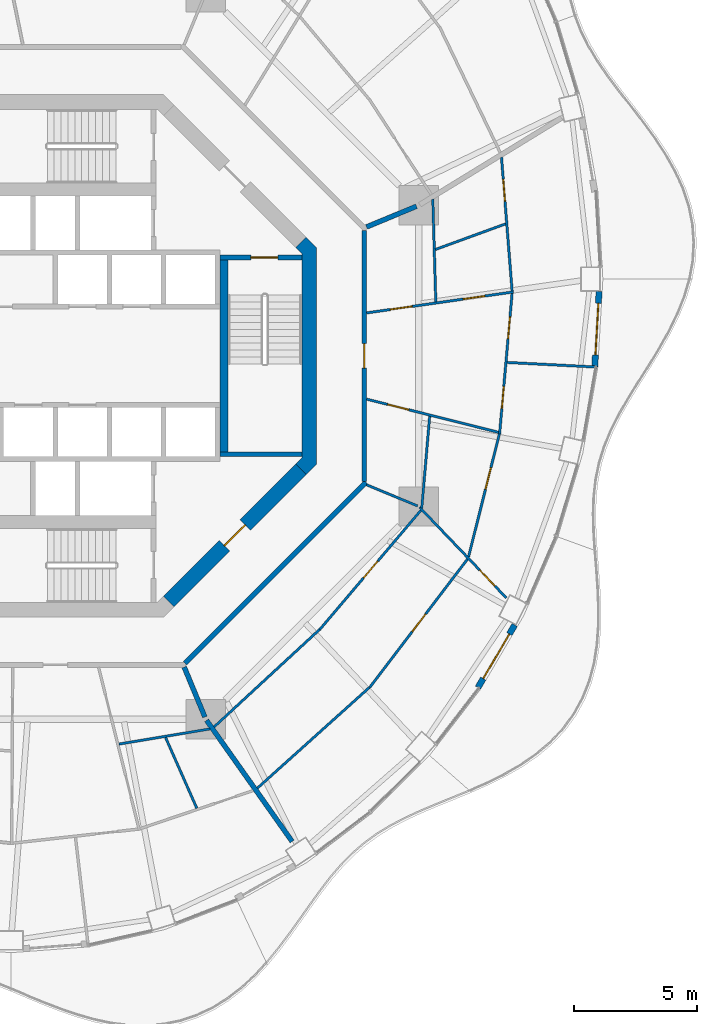
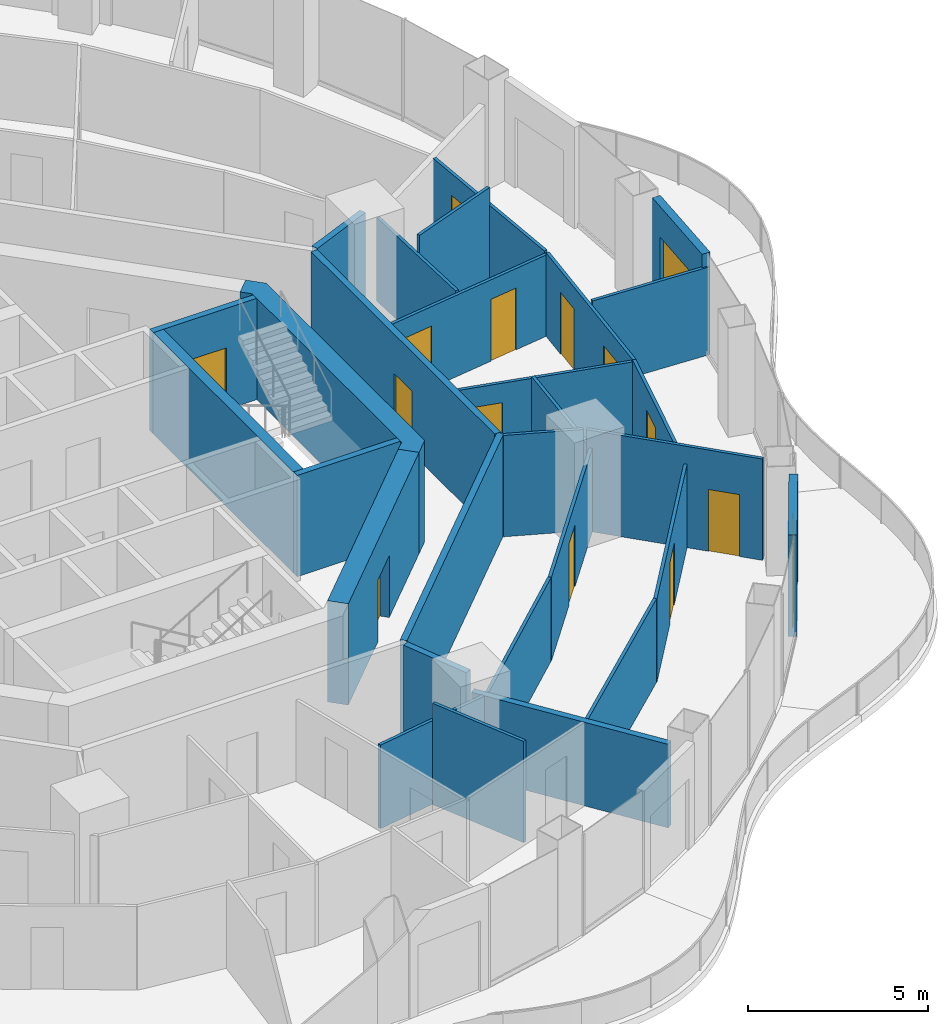
# One storey, part 12 of 18: 29 walls, 15 doors, 15 openings.
"""IFC4 building model written with IfcOpenShell, lengths in metres."""

from ifc_helpers import new_model, si_unit, direction, frame, frame_2d, origin, place, context, subcontext, project, spatial, polyline, rectangle, outline, extrude, material, layer, layer_set, type_object, element, fill, save


model = new_model("IFC4")

# Units and contexts
model_context = context("Model", 3, precision=1e-05, world=origin(), true_north=direction((0.0, 1.0)))
body_context = subcontext(model_context, "Body", "Model", "MODEL_VIEW")
ifc_project = project(units=[si_unit("LENGTHUNIT", "METRE"), si_unit("AREAUNIT", "SQUARE_METRE"), si_unit("VOLUMEUNIT", "CUBIC_METRE"), si_unit("PLANEANGLEUNIT", "RADIAN"), si_unit("MASSUNIT", "GRAM", prefix="KILO")], contexts=[model_context])

# Site, building, storey
site_placement = place(None, origin())
site = spatial("IfcSite", under=ifc_project, at=site_placement, CompositionType="ELEMENT")
building_placement = place(site_placement, origin())
building = spatial("IfcBuilding", under=site, at=building_placement, Name="Nagisa Residences", CompositionType="ELEMENT")
storey_placement = place(building_placement, frame((0.0, 0.0, 215.89990234375)))
storey = spatial("IfcBuildingStorey", under=building, at=storey_placement, Name="L54", CompositionType="ELEMENT", Elevation=215.89990234375)

# Walls
ifc_material_1 = material(Name="Gypsum board on steel studs", Category="steel")
ifc_layer_1 = layer(ifc_material_1, 0.199951171875)
ifc_layer_set_1 = layer_set([ifc_layer_1], Name="Apartment compartment wall EI60 200")
wall_type_1 = type_object("IfcWallType", Name="Apartment compartment wall EI60 200", PredefinedType="PARTITIONING", material=ifc_layer_set_1)
wall_1_placement = place(storey_placement, frame((12.6572265625, 5.24267578125, 0.0), z_axis=(0.0, 0.0, 1.0), x_axis=(0.92383017907, 0.382802560388, 0.0)))
element("IfcWall", 1, at=wall_1_placement, inside=storey, type_object=wall_type_1, Name="wall:L54:u00", PredefinedType="PARTITIONING", context=body_context, shape_type="SweptSolid", body=[
    extrude(rectangle(XDim=2.2001953125, YDim=0.199951171875, at=frame_2d((1.10009765625, 0.0))), origin(), (0.0, 0.0, 1.0), 3.440185546875),
])
wall_2_placement = place(storey_placement, frame((5.24267578125, -12.6572265625, 0.0), z_axis=(0.0, 0.0, 1.0), x_axis=(0.382691608661, -0.923876145736, 0.0)))
element("IfcWall", 2, at=wall_2_placement, inside=storey, type_object=wall_type_1, Name="wall:L54:u06", PredefinedType="PARTITIONING", context=body_context, shape_type="SweptSolid", body=[
    extrude(rectangle(XDim=2.19970703125, YDim=0.199951171875, at=frame_2d((1.099853515625, 0.0))), origin(), (0.0, 0.0, 1.0), 3.440185546875),
])
wall_3_placement = place(storey_placement, frame((6.15185546875, -14.822998046875, 0.0), z_axis=(0.0, 0.0, 1.0), x_axis=(0.576994695158, -0.816747893637, 0.0)))
element("IfcWall", 3, at=wall_3_placement, inside=storey, type_object=wall_type_1, Name="wall:L54:u07", PredefinedType="PARTITIONING", context=body_context, shape_type="SweptSolid", body=[
    extrude(rectangle(XDim=6.0302734375, YDim=0.199951171875, at=frame_2d((3.01513671875, 0.0))), origin(), (0.0, 0.0, 1.0), 2.837158203125),
])

# Wall, opening, door
ifc_material_2 = material(Name="Gypsum board on steel studs", Category="steel")
ifc_layer_2 = layer(ifc_material_2, 0.199951171875)
ifc_layer_set_2 = layer_set([ifc_layer_2], Name="Apartment entry wall EI60 200")
wall_type_2 = type_object("IfcWallType", Name="Apartment entry wall EI60 200", PredefinedType="PARTITIONING", material=ifc_layer_set_2)
wall_4_placement = place(storey_placement, frame((12.564697265625, -5.1044921875, 0.0), z_axis=(0.0, 0.0, 1.0), x_axis=(0.0, 1.0, 0.0)))
wall_4 = element("IfcWall", 4, at=wall_4_placement, inside=storey, type_object=wall_type_2, Name="wall:L54:u08", PredefinedType="PARTITIONING", context=body_context, shape_type="SweptSolid", body=[
    extrude(rectangle(XDim=10.208984375, YDim=0.199951171875, at=frame_2d((5.1044921875, 0.0))), origin(), (0.0, 0.0, 1.0), 3.440185546875),
])
opening_1_placement = place(wall_4_placement, frame((4.6044921875, 0.0, 0.0)))
opening_1 = element("IfcOpeningElement", 5, at=opening_1_placement, cuts=wall_4, Name="Opening L54-U41", PredefinedType="OPENING", context=body_context, shape_type="SweptSolid", body=[
    extrude(rectangle(XDim=1.0, YDim=2.10009765625, at=frame_2d((0.5, 1.050048828125))), frame((0.0, 0.10986328125, 0.0), z_axis=(0.0, -1.0, 0.0), x_axis=(1.0, 0.0, 0.0)), (0.0, 0.0, 1.0), 0.219970703125),
])
ifc_material_3 = material(Name="Timber fire door set", Category="wood")
door_type_1 = type_object("IfcDoorType", Name="Apartment entry door FD30S 1000x2100", OperationType="NOTDEFINED", PredefinedType="DOOR", material=ifc_material_3)
door_1_placement = place(opening_1_placement, frame((1.0, 0.0, 0.0), x_axis=(-1.0, 0.0, 0.0)))
door_1 = element("IfcDoor", 6, at=door_1_placement, inside=storey, type_object=door_type_1, Name="Entry door, Apartment 54D", OperationType="SINGLE_SWING_RIGHT", OverallHeight=2.10009765625, OverallWidth=1.0, PredefinedType="DOOR", context=body_context, shape_type="SweptSolid", body=[
    extrude(rectangle(XDim=1.0, YDim=2.10009765625, at=frame_2d((0.5, 1.050048828125))), frame((0.0, 0.02490234375, 0.0), z_axis=(0.0, -1.0, 0.0), x_axis=(1.0, 0.0, 0.0)), (0.0, 0.0, 1.0), 0.050048828125),
])
fill(opening_1, door_1)

# Wall
wall_5_placement = place(storey_placement, frame((5.275146484375, -12.494140625, 0.0), z_axis=(0.0, 0.0, 1.0), x_axis=(0.707106781187, 0.707106781187, 0.0)))
element("IfcWall", 7, at=wall_5_placement, inside=storey, type_object=wall_type_2, Name="wall:L54:u15", PredefinedType="PARTITIONING", context=body_context, shape_type="SweptSolid", body=[
    extrude(rectangle(XDim=10.4091796875, YDim=0.199951171875, at=frame_2d((5.20458984375, 0.0))), origin(), (0.0, 0.0, 1.0), 3.440185546875),
])

# Wall, openings, doors
ifc_material_4 = material(Name="Gypsum board on steel studs", Category="steel")
ifc_layer_3 = layer(ifc_material_4, 0.10009765625)
ifc_layer_set_3 = layer_set([ifc_layer_3], Name="Apartment partition 100")
wall_type_3 = type_object("IfcWallType", Name="Apartment partition 100", PredefinedType="PARTITIONING", material=ifc_layer_set_3)
wall_6_placement = place(storey_placement, frame((12.663818359375, 1.7490234375, 0.0), z_axis=(0.0, 0.0, 1.0), x_axis=(0.990000460163, 0.141064130369, 0.0)))
wall_6 = element("IfcWall", 8, at=wall_6_placement, inside=storey, type_object=wall_type_3, Name="wall:L54:u16", PredefinedType="PARTITIONING", context=body_context, shape_type="SweptSolid", body=[
    extrude(rectangle(XDim=6.028076171875, YDim=0.10009765625, at=frame_2d((3.01416015625, 0.0))), origin(), (0.0, 0.0, 1.0), 2.76220703125),
])
opening_2_placement = place(wall_6_placement, frame((0.970458984375, 0.0, 0.0)))
opening_2 = element("IfcOpeningElement", 9, at=opening_2_placement, cuts=wall_6, Name="Opening L54-U43", PredefinedType="OPENING", context=body_context, shape_type="SweptSolid", body=[
    extrude(rectangle(XDim=0.89990234375, YDim=2.10009765625, at=frame_2d((0.449951171875, 1.050048828125))), frame((0.0, 0.06005859375, 0.0), z_axis=(0.0, -1.0, 0.0), x_axis=(1.0, 0.0, 0.0)), (0.0, 0.0, 1.0), 0.1201171875),
])
opening_3_placement = place(wall_6_placement, frame((3.95947265625, 0.0, 0.0)))
opening_3 = element("IfcOpeningElement", 10, at=opening_3_placement, cuts=wall_6, Name="Opening L54-U44", PredefinedType="OPENING", context=body_context, shape_type="SweptSolid", body=[
    extrude(rectangle(XDim=0.89990234375, YDim=2.10009765625, at=frame_2d((0.449951171875, 1.050048828125))), frame((0.0, 0.06005859375, 0.0), z_axis=(0.0, -1.0, 0.0), x_axis=(1.0, 0.0, 0.0)), (0.0, 0.0, 1.0), 0.1201171875),
])
ifc_material_5 = material(Name="Timber door set", Category="wood")
door_type_2 = type_object("IfcDoorType", Name="Apartment door 900x2100", OperationType="NOTDEFINED", PredefinedType="DOOR", material=ifc_material_5)
door_2_placement = place(opening_2_placement, origin())
door_2 = element("IfcDoor", 11, at=door_2_placement, inside=storey, type_object=door_type_2, Name="Door to store, Apartment 54D", OperationType="SINGLE_SWING_LEFT", OverallHeight=2.10009765625, OverallWidth=0.89990234375, PredefinedType="DOOR", context=body_context, shape_type="SweptSolid", body=[
    extrude(rectangle(XDim=0.89990234375, YDim=2.10009765625, at=frame_2d((0.449951171875, 1.050048828125))), frame((0.0, 0.02490234375, 0.0), z_axis=(0.0, -1.0, 0.0), x_axis=(1.0, 0.0, 0.0)), (0.0, 0.0, 1.0), 0.050048828125),
])
fill(opening_2, door_2)
door_3_placement = place(opening_3_placement, origin())
door_3 = element("IfcDoor", 12, at=door_3_placement, inside=storey, type_object=door_type_2, Name="Door to family bathroom, Apartment 54D", OperationType="SINGLE_SWING_RIGHT", OverallHeight=2.10009765625, OverallWidth=0.89990234375, PredefinedType="DOOR", context=body_context, shape_type="SweptSolid", body=[
    extrude(rectangle(XDim=0.89990234375, YDim=2.10009765625, at=frame_2d((0.449951171875, 1.050048828125))), frame((0.0, 0.02490234375, 0.0), z_axis=(0.0, -1.0, 0.0), x_axis=(1.0, 0.0, 0.0)), (0.0, 0.0, 1.0), 0.050048828125),
])
fill(opening_3, door_3)

# Wall
wall_7_placement = place(storey_placement, frame((15.474853515625, 2.19970703125, 0.0), z_axis=(0.0, 0.0, 1.0), x_axis=(-0.029254623973, 0.999571991893, 0.0)))
element("IfcWall", 13, at=wall_7_placement, inside=storey, type_object=wall_type_3, Name="wall:L54:u17", PredefinedType="PARTITIONING", context=body_context, shape_type="SweptSolid", body=[
    extrude(rectangle(XDim=4.172607421875, YDim=0.10009765625, at=frame_2d((2.08642578125, 0.0))), origin(), (0.0, 0.0, 1.0), 2.837158203125),
])

# Wall, opening, door
wall_8_placement = place(storey_placement, frame((18.578125, 2.64208984375, 0.0), z_axis=(0.0, 0.0, 1.0), x_axis=(-0.079188322924, 0.996859673932, 0.0)))
wall_8 = element("IfcWall", 14, at=wall_8_placement, inside=storey, type_object=wall_type_3, Name="wall:L54:u18", PredefinedType="PARTITIONING", context=body_context, shape_type="SweptSolid", body=[
    extrude(rectangle(XDim=5.453857421875, YDim=0.10009765625, at=frame_2d((2.72705078125, 0.0))), origin(), (0.0, 0.0, 1.0), 2.837158203125),
])
opening_4_placement = place(wall_8_placement, frame((3.653076171875, 0.0, 0.0)))
opening_4 = element("IfcOpeningElement", 15, at=opening_4_placement, cuts=wall_8, Name="Opening L54-U48", PredefinedType="OPENING", context=body_context, shape_type="SweptSolid", body=[
    extrude(rectangle(XDim=0.89990234375, YDim=2.10009765625, at=frame_2d((0.449951171875, 1.050048828125))), frame((0.0, 0.06005859375, 0.0), z_axis=(0.0, -1.0, 0.0), x_axis=(1.0, 0.0, 0.0)), (0.0, 0.0, 1.0), 0.1201171875),
])
door_4_placement = place(opening_4_placement, origin())
door_4 = element("IfcDoor", 16, at=door_4_placement, inside=storey, type_object=door_type_2, Name="Door to en-suite bathroom, Apartment 54D", OperationType="SINGLE_SWING_RIGHT", OverallHeight=2.10009765625, OverallWidth=0.89990234375, PredefinedType="DOOR", context=body_context, shape_type="SweptSolid", body=[
    extrude(rectangle(XDim=0.89990234375, YDim=2.10009765625, at=frame_2d((0.449951171875, 1.050048828125))), frame((0.0, 0.02490234375, 0.0), z_axis=(0.0, -1.0, 0.0), x_axis=(1.0, 0.0, 0.0)), (0.0, 0.0, 1.0), 0.050048828125),
])
fill(opening_4, door_4)

# Wall, openings, doors
wall_9_placement = place(storey_placement, frame((18.57763671875, 2.54248046875, 0.0), z_axis=(0.0, 0.0, 1.0), x_axis=(-0.088651453697, -0.996062708748, 0.0)))
wall_9 = element("IfcWall", 17, at=wall_9_placement, inside=storey, type_object=wall_type_3, Name="wall:L54:u19", PredefinedType="PARTITIONING", context=body_context, shape_type="SweptSolid", body=[
    extrude(rectangle(XDim=5.736572265625, YDim=0.10009765625, at=frame_2d((2.8681640625, 0.0))), origin(), (0.0, 0.0, 1.0), 2.837158203125),
])
opening_5_placement = place(wall_9_placement, frame((3.80224609375, 0.0, 0.0)))
opening_5 = element("IfcOpeningElement", 18, at=opening_5_placement, cuts=wall_9, Name="Opening L54-U45", PredefinedType="OPENING", context=body_context, shape_type="SweptSolid", body=[
    extrude(rectangle(XDim=0.89990234375, YDim=2.10009765625, at=frame_2d((0.449951171875, 1.050048828125))), frame((0.0, 0.06005859375, 0.0), z_axis=(0.0, -1.0, 0.0), x_axis=(1.0, 0.0, 0.0)), (0.0, 0.0, 1.0), 0.1201171875),
])
opening_6_placement = place(wall_9_placement, frame((0.958984375, 0.0, 0.0)))
opening_6 = element("IfcOpeningElement", 19, at=opening_6_placement, cuts=wall_9, Name="Opening L54-U46", PredefinedType="OPENING", context=body_context, shape_type="SweptSolid", body=[
    extrude(rectangle(XDim=0.89990234375, YDim=2.10009765625, at=frame_2d((0.449951171875, 1.050048828125))), frame((0.0, 0.06005859375, 0.0), z_axis=(0.0, -1.0, 0.0), x_axis=(1.0, 0.0, 0.0)), (0.0, 0.0, 1.0), 0.1201171875),
])
door_5_placement = place(opening_5_placement, origin())
door_5 = element("IfcDoor", 20, at=door_5_placement, inside=storey, type_object=door_type_2, Name="Door to bedroom, Apartment 54D", OperationType="SINGLE_SWING_LEFT", OverallHeight=2.10009765625, OverallWidth=0.89990234375, PredefinedType="DOOR", context=body_context, shape_type="SweptSolid", body=[
    extrude(rectangle(XDim=0.89990234375, YDim=2.10009765625, at=frame_2d((0.449951171875, 1.050048828125))), frame((0.0, 0.02490234375, 0.0), z_axis=(0.0, -1.0, 0.0), x_axis=(1.0, 0.0, 0.0)), (0.0, 0.0, 1.0), 0.050048828125),
])
fill(opening_5, door_5)
door_6_placement = place(opening_6_placement, origin())
door_6 = element("IfcDoor", 21, at=door_6_placement, inside=storey, type_object=door_type_2, Name="Door to master bedroom, Apartment 54D", OperationType="SINGLE_SWING_RIGHT", OverallHeight=2.10009765625, OverallWidth=0.89990234375, PredefinedType="DOOR", context=body_context, shape_type="SweptSolid", body=[
    extrude(rectangle(XDim=0.89990234375, YDim=2.10009765625, at=frame_2d((0.449951171875, 1.050048828125))), frame((0.0, 0.02490234375, 0.0), z_axis=(0.0, -1.0, 0.0), x_axis=(1.0, 0.0, 0.0)), (0.0, 0.0, 1.0), 0.050048828125),
])
fill(opening_6, door_6)

# Walls
wall_10_placement = place(storey_placement, frame((15.4599609375, 4.327392578125, 0.0), z_axis=(0.0, 0.0, 1.0), x_axis=(0.939452643938, 0.342678755977, 0.0)))
element("IfcWall", 22, at=wall_10_placement, inside=storey, type_object=wall_type_3, Name="wall:L54:u20", PredefinedType="PARTITIONING", context=body_context, shape_type="SweptSolid", body=[
    extrude(rectangle(XDim=3.037109375, YDim=0.10009765625, at=frame_2d((1.5185546875, 0.0))), origin(), (0.0, 0.0, 1.0), 3.440185546875),
])
wall_11_placement = place(storey_placement, frame((2.592529296875, -15.788818359375, 0.0), z_axis=(0.0, 0.0, 1.0), x_axis=(0.986385117656, 0.164451815639, 0.0)))
element("IfcWall", 23, at=wall_11_placement, inside=storey, type_object=wall_type_3, Name="wall:L54:u79", PredefinedType="PARTITIONING", context=body_context, shape_type="SweptSolid", body=[
    extrude(rectangle(XDim=3.7470703125, YDim=0.10009765625, at=frame_2d((1.87353515625, 0.0))), origin(), (0.0, 0.0, 1.0), 2.837158203125),
])
wall_12_placement = place(storey_placement, frame((4.4853515625, -15.522216796875, 0.0), z_axis=(0.0, 0.0, 1.0), x_axis=(0.40391918208, -0.914794673327, 0.0)))
element("IfcWall", 24, at=wall_12_placement, inside=storey, type_object=wall_type_3, Name="wall:L54:u81", PredefinedType="PARTITIONING", context=body_context, shape_type="SweptSolid", body=[
    extrude(rectangle(XDim=3.1455078125, YDim=0.10009765625, at=frame_2d((1.57275390625, 0.0))), origin(), (0.0, 0.0, 1.0), 3.440185546875),
])
wall_13_placement = place(storey_placement, frame((6.460693359375, -15.08837890625, 0.0), z_axis=(0.0, 0.0, 1.0), x_axis=(0.73461579427, 0.678483334217, 0.0)))
element("IfcWall", 25, at=wall_13_placement, inside=storey, type_object=wall_type_3, Name="wall:L54:u82", PredefinedType="PARTITIONING", context=body_context, shape_type="SweptSolid", body=[
    extrude(rectangle(XDim=5.8369140625, YDim=0.10009765625, at=frame_2d((2.91845703125, 0.0))), origin(), (0.0, 0.0, 1.0), 2.837158203125),
])
wall_14_placement = place(storey_placement, frame((8.220458984375, -17.5791015625, 0.0), z_axis=(0.0, 0.0, 1.0), x_axis=(0.743696370895, 0.668517544958, 0.0)))
element("IfcWall", 26, at=wall_14_placement, inside=storey, type_object=wall_type_3, Name="wall:L54:u83", PredefinedType="PARTITIONING", context=body_context, shape_type="SweptSolid", body=[
    extrude(rectangle(XDim=6.124755859375, YDim=0.10009765625, at=frame_2d((3.0625, 0.0))), origin(), (0.0, 0.0, 1.0), 2.837158203125),
])

# Wall, opening, door
wall_15_placement = place(storey_placement, frame((10.7529296875, -11.13232421875, 0.0), z_axis=(0.0, 0.0, 1.0), x_axis=(0.647001799757, 0.762488472773, 0.0)))
wall_15 = element("IfcWall", 27, at=wall_15_placement, inside=storey, type_object=wall_type_3, Name="wall:L54:u84", PredefinedType="PARTITIONING", context=body_context, shape_type="SweptSolid", body=[
    extrude(rectangle(XDim=6.35888671875, YDim=0.10009765625, at=frame_2d((3.179443359375, 0.0))), origin(), (0.0, 0.0, 1.0), 2.837158203125),
])
opening_7_placement = place(wall_15_placement, frame((2.75439453125, 0.0, 0.0)))
opening_7 = element("IfcOpeningElement", 28, at=opening_7_placement, cuts=wall_15, Name="Opening L54-U51", PredefinedType="OPENING", context=body_context, shape_type="SweptSolid", body=[
    extrude(rectangle(XDim=0.89990234375, YDim=2.10009765625, at=frame_2d((0.449951171875, 1.050048828125))), frame((0.0, 0.06005859375, 0.0), z_axis=(0.0, -1.0, 0.0), x_axis=(1.0, 0.0, 0.0)), (0.0, 0.0, 1.0), 0.1201171875),
])
door_7_placement = place(opening_7_placement, origin())
door_7 = element("IfcDoor", 29, at=door_7_placement, inside=storey, type_object=door_type_2, Name="Door to store, Apartment 54D", OperationType="SINGLE_SWING_LEFT", OverallHeight=2.10009765625, OverallWidth=0.89990234375, PredefinedType="DOOR", context=body_context, shape_type="SweptSolid", body=[
    extrude(rectangle(XDim=0.89990234375, YDim=2.10009765625, at=frame_2d((0.449951171875, 1.050048828125))), frame((0.0, 0.02490234375, 0.0), z_axis=(0.0, -1.0, 0.0), x_axis=(1.0, 0.0, 0.0)), (0.0, 0.0, 1.0), 0.050048828125),
])
fill(opening_7, door_7)

wall_16_placement = place(storey_placement, frame((12.7822265625, -13.490966796875, 0.0), z_axis=(0.0, 0.0, 1.0), x_axis=(0.606136140755, 0.795360911078, 0.0)))
wall_16 = element("IfcWall", 30, at=wall_16_placement, inside=storey, type_object=wall_type_3, Name="wall:L54:u85", PredefinedType="PARTITIONING", context=body_context, shape_type="SweptSolid", body=[
    extrude(rectangle(XDim=6.56982421875, YDim=0.10009765625, at=frame_2d((3.284912109375, 0.0))), origin(), (0.0, 0.0, 1.0), 2.837158203125),
])
opening_8_placement = place(wall_16_placement, frame((2.85986328125, 0.0, 0.0)))
opening_8 = element("IfcOpeningElement", 31, at=opening_8_placement, cuts=wall_16, Name="Opening L54-U50", PredefinedType="OPENING", context=body_context, shape_type="SweptSolid", body=[
    extrude(rectangle(XDim=0.89990234375, YDim=2.10009765625, at=frame_2d((0.449951171875, 1.050048828125))), frame((0.0, 0.06005859375, 0.0), z_axis=(0.0, -1.0, 0.0), x_axis=(1.0, 0.0, 0.0)), (0.0, 0.0, 1.0), 0.1201171875),
])
door_8_placement = place(opening_8_placement, origin())
door_8 = element("IfcDoor", 32, at=door_8_placement, inside=storey, type_object=door_type_2, Name="Door to kitchen, Apartment 54D", OperationType="SINGLE_SWING_RIGHT", OverallHeight=2.10009765625, OverallWidth=0.89990234375, PredefinedType="DOOR", context=body_context, shape_type="SweptSolid", body=[
    extrude(rectangle(XDim=0.89990234375, YDim=2.10009765625, at=frame_2d((0.449951171875, 1.050048828125))), frame((0.0, 0.02490234375, 0.0), z_axis=(0.0, -1.0, 0.0), x_axis=(1.0, 0.0, 0.0)), (0.0, 0.0, 1.0), 0.050048828125),
])
fill(opening_8, door_8)

# Wall
wall_17_placement = place(storey_placement, frame((12.6572265625, -5.24267578125, 0.0), z_axis=(0.0, 0.0, 1.0), x_axis=(0.923864733477, -0.382719158442, 0.0)))
element("IfcWall", 33, at=wall_17_placement, inside=storey, type_object=wall_type_3, Name="wall:L54:u86", PredefinedType="PARTITIONING", context=body_context, shape_type="SweptSolid", body=[
    extrude(rectangle(XDim=2.25, YDim=0.10009765625, at=frame_2d((1.125, 0.0))), origin(), (0.0, 0.0, 1.0), 3.440185546875),
])

# Wall, opening, door
wall_18_placement = place(storey_placement, frame((14.816650390625, -6.1591796875, 0.0), z_axis=(0.0, 0.0, 1.0), x_axis=(0.691437669875, -0.722436120828, 0.0)))
wall_18 = element("IfcWall", 34, at=wall_18_placement, inside=storey, type_object=wall_type_3, Name="wall:L54:u87", PredefinedType="PARTITIONING", context=body_context, shape_type="SweptSolid", body=[
    extrude(rectangle(XDim=5.103515625, YDim=0.10009765625, at=frame_2d((2.5517578125, 0.0))), origin(), (0.0, 0.0, 1.0), 3.440185546875),
])
opening_9_placement = place(wall_18_placement, frame((3.5322265625, 0.0, 0.0)))
opening_9 = element("IfcOpeningElement", 35, at=opening_9_placement, cuts=wall_18, Name="Opening L54-U49", PredefinedType="OPENING", context=body_context, shape_type="SweptSolid", body=[
    extrude(rectangle(XDim=0.89990234375, YDim=2.10009765625, at=frame_2d((0.449951171875, 1.050048828125))), frame((0.0, 0.06005859375, 0.0), z_axis=(0.0, -1.0, 0.0), x_axis=(1.0, 0.0, 0.0)), (0.0, 0.0, 1.0), 0.1201171875),
])
door_9_placement = place(opening_9_placement, frame((0.89990234375, 0.0, 0.0), x_axis=(-1.0, 0.0, 0.0)))
door_9 = element("IfcDoor", 36, at=door_9_placement, inside=storey, type_object=door_type_2, Name="Door to family room, Apartment 54D", OperationType="SINGLE_SWING_RIGHT", OverallHeight=2.10009765625, OverallWidth=0.89990234375, PredefinedType="DOOR", context=body_context, shape_type="SweptSolid", body=[
    extrude(rectangle(XDim=0.89990234375, YDim=2.10009765625, at=frame_2d((0.449951171875, 1.050048828125))), frame((0.0, 0.02490234375, 0.0), z_axis=(0.0, -1.0, 0.0), x_axis=(1.0, 0.0, 0.0)), (0.0, 0.0, 1.0), 0.050048828125),
])
fill(opening_9, door_9)

# Wall
wall_19_placement = place(storey_placement, frame((14.90380859375, -6.19580078125, 0.0), z_axis=(0.0, 0.0, 1.0), x_axis=(0.085843822439, 0.996308605879, 0.0)))
element("IfcWall", 37, at=wall_19_placement, inside=storey, type_object=wall_type_3, Name="wall:L54:u88", PredefinedType="PARTITIONING", context=body_context, shape_type="SweptSolid", body=[
    extrude(rectangle(XDim=3.754150390625, YDim=0.10009765625, at=frame_2d((1.876953125, 0.0))), origin(), (0.0, 0.0, 1.0), 2.837158203125),
])

# Wall, opening, door
wall_20_placement = place(storey_placement, frame((16.806884765625, -8.17724609375, 0.0), z_axis=(0.0, 0.0, 1.0), x_axis=(0.243002985225, 0.970025540474, 0.0)))
wall_20 = element("IfcWall", 38, at=wall_20_placement, inside=storey, type_object=wall_type_3, Name="wall:L54:u89", PredefinedType="PARTITIONING", context=body_context, shape_type="SweptSolid", body=[
    extrude(rectangle(XDim=5.162109375, YDim=0.10009765625, at=frame_2d((2.5810546875, 0.0))), origin(), (0.0, 0.0, 1.0), 2.837158203125),
])
opening_10_placement = place(wall_20_placement, frame((2.843505859375, 0.0, 0.0)))
opening_10 = element("IfcOpeningElement", 39, at=opening_10_placement, cuts=wall_20, Name="Opening L54-U47", PredefinedType="OPENING", context=body_context, shape_type="SweptSolid", body=[
    extrude(rectangle(XDim=0.89990234375, YDim=2.10009765625, at=frame_2d((0.449951171875, 1.050048828125))), frame((0.0, 0.06005859375, 0.0), z_axis=(0.0, -1.0, 0.0), x_axis=(1.0, 0.0, 0.0)), (0.0, 0.0, 1.0), 0.1201171875),
])
door_10_placement = place(opening_10_placement, origin())
door_10 = element("IfcDoor", 40, at=door_10_placement, inside=storey, type_object=door_type_2, Name="Door to en-suite bathroom, Apartment 54D", OperationType="SINGLE_SWING_LEFT", OverallHeight=2.10009765625, OverallWidth=0.89990234375, PredefinedType="DOOR", context=body_context, shape_type="SweptSolid", body=[
    extrude(rectangle(XDim=0.89990234375, YDim=2.10009765625, at=frame_2d((0.449951171875, 1.050048828125))), frame((0.0, 0.02490234375, 0.0), z_axis=(0.0, -1.0, 0.0), x_axis=(1.0, 0.0, 0.0)), (0.0, 0.0, 1.0), 0.050048828125),
])
fill(opening_10, door_10)

wall_21_placement = place(storey_placement, frame((12.66162109375, -1.75927734375, 0.0), z_axis=(0.0, 0.0, 1.0), x_axis=(0.969746519828, -0.24411408661, 0.0)))
wall_21 = element("IfcWall", 41, at=wall_21_placement, inside=storey, type_object=wall_type_3, Name="wall:L54:u90", PredefinedType="PARTITIONING", context=body_context, shape_type="SweptSolid", body=[
    extrude(rectangle(XDim=5.530517578125, YDim=0.10009765625, at=frame_2d((2.76513671875, 0.0))), origin(), (0.0, 0.0, 1.0), 2.76220703125),
])
opening_11_placement = place(wall_21_placement, frame((0.874267578125, 0.0, 0.0)))
opening_11 = element("IfcOpeningElement", 42, at=opening_11_placement, cuts=wall_21, Name="Opening L54-U42", PredefinedType="OPENING", context=body_context, shape_type="SweptSolid", body=[
    extrude(rectangle(XDim=0.89990234375, YDim=2.10009765625, at=frame_2d((0.449951171875, 1.050048828125))), frame((0.0, 0.06005859375, 0.0), z_axis=(0.0, -1.0, 0.0), x_axis=(1.0, 0.0, 0.0)), (0.0, 0.0, 1.0), 0.1201171875),
])
door_11_placement = place(opening_11_placement, frame((0.89990234375, 0.0, 0.0), x_axis=(-1.0, 0.0, 0.0)))
door_11 = element("IfcDoor", 43, at=door_11_placement, inside=storey, type_object=door_type_2, Name="Door to family bathroom, Apartment 54D", OperationType="SINGLE_SWING_LEFT", OverallHeight=2.10009765625, OverallWidth=0.89990234375, PredefinedType="DOOR", context=body_context, shape_type="SweptSolid", body=[
    extrude(rectangle(XDim=0.89990234375, YDim=2.10009765625, at=frame_2d((0.449951171875, 1.050048828125))), frame((0.0, 0.02490234375, 0.0), z_axis=(0.0, -1.0, 0.0), x_axis=(1.0, 0.0, 0.0)), (0.0, 0.0, 1.0), 0.050048828125),
])
fill(opening_11, door_11)

# Wall
wall_22_placement = place(storey_placement, frame((18.377685546875, -0.26708984375, 0.0), z_axis=(0.0, 0.0, 1.0), x_axis=(0.998670331817, -0.051551608585, 0.0)))
element("IfcWall", 44, at=wall_22_placement, inside=storey, type_object=wall_type_3, Name="wall:L54:u91", PredefinedType="PARTITIONING", context=body_context, shape_type="SweptSolid", body=[
    extrude(rectangle(XDim=3.6513671875, YDim=0.10009765625, at=frame_2d((1.82568359375, 0.0))), origin(), (0.0, 0.0, 1.0), 2.983154296875),
])

# Wall, opening, door
ifc_material_6 = material(Name="Precast concrete C40/50", Category="concrete")
ifc_layer_4 = layer(ifc_material_6, 0.25)
ifc_layer_set_4 = layer_set([ifc_layer_4], Name="BALCONY DOOR WALL 250")
wall_type_4 = type_object("IfcWallType", Name="BALCONY DOOR WALL 250", PredefinedType="SOLIDWALL", material=ifc_layer_set_4)
wall_23_placement = place(storey_placement, frame((18.684326171875, -10.945068359375, 0.0), z_axis=(0.0, 0.0, 1.0), x_axis=(-0.5063555387, -0.862324804484, 0.0)))
wall_23 = element("IfcWall", 45, at=wall_23_placement, inside=storey, type_object=wall_type_4, Name="wall:L54:bay43", PredefinedType="SOLIDWALL", context=body_context, shape_type="SweptSolid", body=[
    extrude(rectangle(XDim=2.95458984375, YDim=0.25, at=frame_2d((1.477294921875, 0.0))), origin(), (0.0, 0.0, 1.0), 3.440185546875),
])
opening_12_placement = place(wall_23_placement, frame((0.42724609375, 0.0, 0.0)))
opening_12 = element("IfcOpeningElement", 46, at=opening_12_placement, cuts=wall_23, Name="Opening BD-L54-15", PredefinedType="OPENING", context=body_context, shape_type="SweptSolid", body=[
    extrude(rectangle(XDim=2.10009765625, YDim=2.39990234375, at=frame_2d((1.050048828125, 1.199951171875))), frame((0.0, 0.135009765625, 0.0), z_axis=(0.0, -1.0, 0.0), x_axis=(1.0, 0.0, 0.0)), (0.0, 0.0, 1.0), 0.27001953125),
])
ifc_material_7 = material(Name="Aluminium and clear glass", Category="aluminium")
door_type_3 = type_object("IfcDoorType", Name="BALCONY SLIDING DOOR 2100x2400", OperationType="SLIDING_TO_LEFT", PredefinedType="DOOR", material=ifc_material_7)
door_12_placement = place(opening_12_placement, origin())
door_12 = element("IfcDoor", 47, at=door_12_placement, inside=storey, type_object=door_type_3, Name="door:L54:bay43", OperationType="SLIDING_TO_LEFT", OverallHeight=2.39990234375, OverallWidth=2.10009765625, PredefinedType="DOOR", context=body_context, shape_type="SweptSolid", body=[
    extrude(rectangle(XDim=2.10009765625, YDim=2.39990234375, at=frame_2d((1.050048828125, 1.199951171875))), frame((0.0, 0.02490234375, 0.0), z_axis=(0.0, -1.0, 0.0), x_axis=(1.0, 0.0, 0.0)), (0.0, 0.0, 1.0), 0.050048828125),
])
fill(opening_12, door_12)

wall_24_placement = place(storey_placement, frame((22.116455078125, 2.625732421875, 0.0), z_axis=(0.0, 0.0, 1.0), x_axis=(-0.057528189427, -0.998343882348, 0.0)))
wall_24 = element("IfcWall", 48, at=wall_24_placement, inside=storey, type_object=wall_type_4, Name="wall:L54:bay47", PredefinedType="SOLIDWALL", context=body_context, shape_type="SweptSolid", body=[
    extrude(rectangle(XDim=3.0810546875, YDim=0.25, at=frame_2d((1.54052734375, 0.0))), origin(), (0.0, 0.0, 1.0), 3.440185546875),
])
opening_13_placement = place(wall_24_placement, frame((0.490478515625, 0.0, 0.0)))
opening_13 = element("IfcOpeningElement", 49, at=opening_13_placement, cuts=wall_24, Name="Opening BD-L54-16", PredefinedType="OPENING", context=body_context, shape_type="SweptSolid", body=[
    extrude(rectangle(XDim=2.10009765625, YDim=2.39990234375, at=frame_2d((1.050048828125, 1.199951171875))), frame((0.0, 0.135009765625, 0.0), z_axis=(0.0, -1.0, 0.0), x_axis=(1.0, 0.0, 0.0)), (0.0, 0.0, 1.0), 0.27001953125),
])
door_13_placement = place(opening_13_placement, origin())
door_13 = element("IfcDoor", 50, at=door_13_placement, inside=storey, type_object=door_type_3, Name="door:L54:bay47", OperationType="SLIDING_TO_LEFT", OverallHeight=2.39990234375, OverallWidth=2.10009765625, PredefinedType="DOOR", context=body_context, shape_type="SweptSolid", body=[
    extrude(rectangle(XDim=2.10009765625, YDim=2.39990234375, at=frame_2d((1.050048828125, 1.199951171875))), frame((0.0, 0.02490234375, 0.0), z_axis=(0.0, -1.0, 0.0), x_axis=(1.0, 0.0, 0.0)), (0.0, 0.0, 1.0), 0.050048828125),
])
fill(opening_13, door_13)

ifc_material_8 = material(Name="Concrete C60", Category="concrete")
ifc_layer_5 = layer(ifc_material_8, 0.60009765625)
ifc_layer_set_5 = layer_set([ifc_layer_5], Name="Core shear wall 600")
wall_type_5 = type_object("IfcWallType", Name="Core shear wall 600", PredefinedType="SHEAR", material=ifc_layer_set_5)
wall_25_placement = place(storey_placement, frame((4.613037109375, -9.98828125, 0.0), z_axis=(0.0, 0.0, 1.0), x_axis=(0.707106781187, 0.707106781187, 0.0)))
wall_25 = element("IfcWall", 51, at=wall_25_placement, inside=storey, type_object=wall_type_5, Name="wall:L54:core:flat7", PredefinedType="SHEAR", context=body_context, shape_type="SweptSolid", body=[
    extrude(rectangle(XDim=7.601806640625, YDim=0.60009765625, at=frame_2d((3.80078125, 0.0))), origin(), (0.0, 0.0, 1.0), 3.440185546875),
])
opening_14_placement = place(wall_25_placement, frame((3.200927734375, 0.0, 0.0)))
opening_14 = element("IfcOpeningElement", 52, at=opening_14_placement, cuts=wall_25, Name="Opening L54-C19", PredefinedType="OPENING", context=body_context, shape_type="SweptSolid", body=[
    extrude(rectangle(XDim=1.199951171875, YDim=2.10009765625, at=frame_2d((0.60009765625, 1.050048828125))), frame((0.0, 0.31005859375, 0.0), z_axis=(0.0, -1.0, 0.0), x_axis=(1.0, 0.0, 0.0)), (0.0, 0.0, 1.0), 0.6201171875),
])
ifc_material_9 = material(Name="Steel fire door", Category="steel")
door_type_4 = type_object("IfcDoorType", Name="Fire door EI60 1200x2100 single swing", OperationType="NOTDEFINED", PredefinedType="DOOR", material=ifc_material_9)
door_14_placement = place(opening_14_placement, origin())
door_14 = element("IfcDoor", 53, at=door_14_placement, inside=storey, type_object=door_type_4, Name="Firefighting lobby 2 door L54", OperationType="SINGLE_SWING_RIGHT", OverallHeight=2.10009765625, OverallWidth=1.199951171875, PredefinedType="DOOR", context=body_context, shape_type="SweptSolid", body=[
    extrude(rectangle(XDim=1.199951171875, YDim=2.10009765625, at=frame_2d((0.60009765625, 1.050048828125))), frame((0.0, 0.02490234375, 0.0), z_axis=(0.0, -1.0, 0.0), x_axis=(1.0, 0.0, 0.0)), (0.0, 0.0, 1.0), 0.050048828125),
])
fill(opening_14, door_14)

# Wall
wall_26_placement = place(storey_placement, origin())
element("IfcWall", 54, at=wall_26_placement, inside=storey, type_object=wall_type_5, Name="wall:L54:core:flat0", PredefinedType="SHEAR", context=body_context, shape_type="SweptSolid", body=[
    extrude(outline(polyline([(9.776123046875, -4.40087890625), (10.024658203125, -4.15234375), (10.024658203125, -3.801025390625), (10.024658203125, 4.15234375), (9.776123046875, 4.40087890625), (10.200439453125, 4.8251953125), (10.62451171875, 4.40087890625), (10.62451171875, -4.40087890625), (10.200439453125, -4.8251953125), (9.776123046875, -4.40087890625)])), origin(), (0.0, 0.0, 1.0), 3.440185546875),
])

# Wall, opening, door
ifc_material_10 = material(Name="Concrete C60", Category="concrete")
ifc_layer_6 = layer(ifc_material_10, 0.199951171875)
ifc_layer_set_6 = layer_set([ifc_layer_6], Name="Stair enclosure wall 200")
wall_type_6 = type_object("IfcWallType", Name="Stair enclosure wall 200", PredefinedType="SOLIDWALL", material=ifc_layer_set_6)
wall_27_placement = place(storey_placement, frame((6.699951171875, 4.0, 0.0), z_axis=(0.0, 0.0, 1.0), x_axis=(1.0, 0.0, 0.0)))
wall_27 = element("IfcWall", 55, at=wall_27_placement, inside=storey, type_object=wall_type_6, Name="wall:L54:SE_n", PredefinedType="SOLIDWALL", context=body_context, shape_type="SweptSolid", body=[
    extrude(rectangle(XDim=3.32470703125, YDim=0.199951171875, at=frame_2d((1.662353515625, 0.0))), origin(), (0.0, 0.0, 1.0), 3.440185546875),
])
opening_15_placement = place(wall_27_placement, frame((1.25, 0.0, 0.0)))
opening_15 = element("IfcOpeningElement", 56, at=opening_15_placement, cuts=wall_27, Name="Opening L54-C08", PredefinedType="OPENING", context=body_context, shape_type="SweptSolid", body=[
    extrude(rectangle(XDim=1.10009765625, YDim=2.10009765625, at=frame_2d((0.550048828125, 1.050048828125))), frame((0.0, 0.10986328125, 0.0), z_axis=(0.0, -1.0, 0.0), x_axis=(1.0, 0.0, 0.0)), (0.0, 0.0, 1.0), 0.219970703125),
])
ifc_material_11 = material(Name="Steel fire door", Category="steel")
door_type_5 = type_object("IfcDoorType", Name="Fire door EI90 1100x2100 single swing", OperationType="NOTDEFINED", PredefinedType="DOOR", material=ifc_material_11)
door_15_placement = place(opening_15_placement, frame((1.10009765625, 0.0, 0.0), x_axis=(-1.0, 0.0, 0.0)))
door_15 = element("IfcDoor", 57, at=door_15_placement, inside=storey, type_object=door_type_5, Name="Stair door ST-E L54", OperationType="SINGLE_SWING_LEFT", OverallHeight=2.10009765625, OverallWidth=1.10009765625, PredefinedType="DOOR", context=body_context, shape_type="SweptSolid", body=[
    extrude(rectangle(XDim=1.10009765625, YDim=2.10009765625, at=frame_2d((0.550048828125, 1.050048828125))), frame((0.0, 0.02490234375, 0.0), z_axis=(0.0, -1.0, 0.0), x_axis=(1.0, 0.0, 0.0)), (0.0, 0.0, 1.0), 0.050048828125),
])
fill(opening_15, door_15)

# Walls
wall_28_placement = place(storey_placement, origin())
element("IfcWall", 58, at=wall_28_placement, inside=storey, type_object=wall_type_6, Name="wall:L54:SE_w", PredefinedType="SOLIDWALL", context=body_context, shape_type="SweptSolid", body=[
    extrude(outline(polyline([(7.024658203125, -3.89990234375), (6.699951171875, -3.89990234375), (6.699951171875, 3.89990234375), (7.024658203125, 3.89990234375), (7.024658203125, -3.89990234375)])), origin(), (0.0, 0.0, 1.0), 3.440185546875),
])
wall_29_placement = place(storey_placement, origin())
element("IfcWall", 59, at=wall_29_placement, inside=storey, type_object=wall_type_6, Name="wall:L54:SE_s", PredefinedType="SOLIDWALL", context=body_context, shape_type="SweptSolid", body=[
    extrude(outline(polyline([(10.024658203125, -4.10009765625), (6.699951171875, -4.10009765625), (6.699951171875, -3.89990234375), (10.024658203125, -3.89990234375), (10.024658203125, -4.10009765625)])), origin(), (0.0, 0.0, 1.0), 3.440185546875),
])

save(model, "model.ifc")
